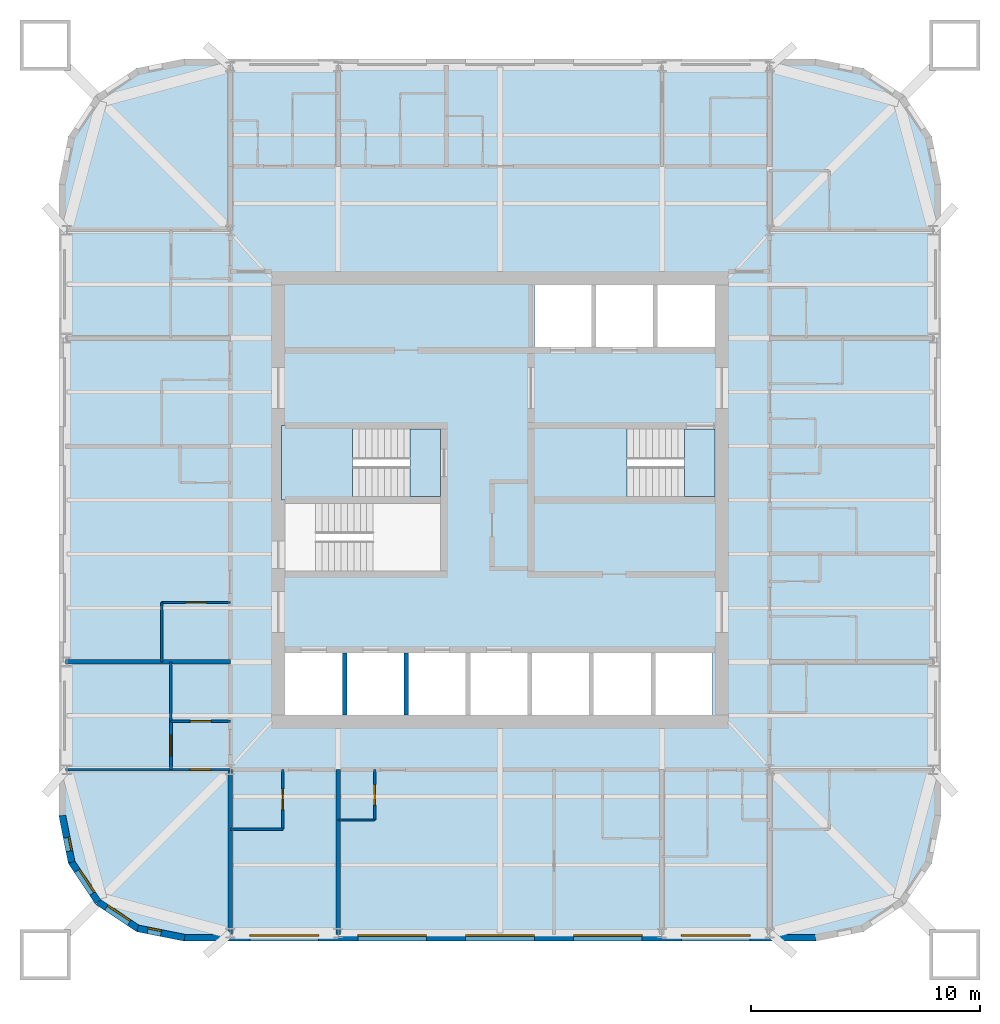
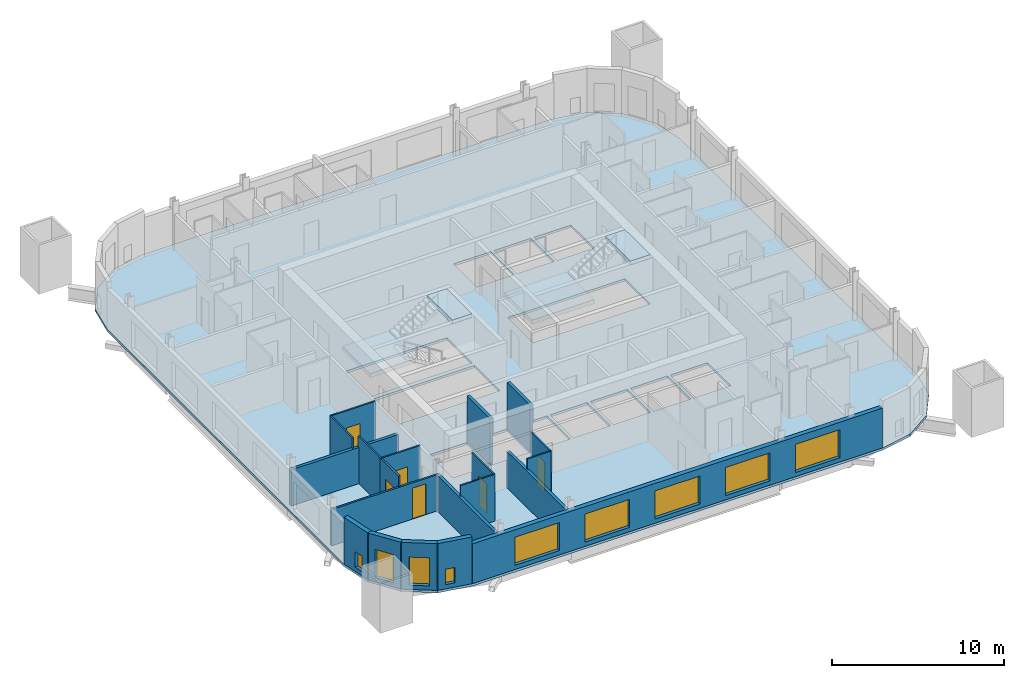
# One storey, part 2 of 9: 20 walls, 9 windows, 6 doors, 5 slabs, 15 openings, 2 elements without a shape of their own.
"""IFC4 building model written with IfcOpenShell, lengths in metres."""

from ifc_helpers import new_model, si_unit, direction, frame, frame_2d, origin, place, context, subcontext, project, spatial, polyline, rectangle, outline, extrude, material, layer, layer_set, type_object, element, fill, aggregate, save


model = new_model("IFC4")

# Units and contexts
model_context = context("Model", 3, precision=1e-05, world=origin(), true_north=direction((0.0, 1.0)))
body_context = subcontext(model_context, "Body", "Model", "MODEL_VIEW")
ifc_project = project(units=[si_unit("LENGTHUNIT", "METRE"), si_unit("AREAUNIT", "SQUARE_METRE"), si_unit("VOLUMEUNIT", "CUBIC_METRE"), si_unit("PLANEANGLEUNIT", "RADIAN"), si_unit("MASSUNIT", "GRAM", prefix="KILO")], contexts=[model_context])

# Site, building, storey
site_placement = place(None, origin())
site = spatial("IfcSite", under=ifc_project, at=site_placement, CompositionType="ELEMENT")
building_placement = place(site_placement, origin())
building = spatial("IfcBuilding", under=site, at=building_placement, Name="Turquesa Mirador Hotel Tower", CompositionType="ELEMENT")
storey_placement = place(building_placement, frame((0.0, 0.0, 210.800048828125)))
storey = spatial("IfcBuildingStorey", under=building, at=storey_placement, Name="L57", CompositionType="ELEMENT", Elevation=210.800048828125)

# Slab
ifc_material_1 = material(Name="Concrete C28/35", Category="concrete")
ifc_layer_1 = layer(ifc_material_1, 0.169921875)
ifc_layer_set_1 = layer_set([ifc_layer_1], Name="COMPOSITE FLOOR SLAB 170")
slab_type_1 = type_object("IfcSlabType", Name="COMPOSITE FLOOR SLAB 170", PredefinedType="FLOOR", material=ifc_layer_set_1)
slab_1_placement = place(storey_placement, frame((0.0, 0.0, -0.170166015625)))
element("IfcSlab", 1, at=slab_1_placement, inside=storey, type_object=slab_type_1, Name="Floor slab L57", PredefinedType="FLOOR", context=body_context, shape_type="SweptSolid", body=[
    extrude(outline(polyline([(68.800048828125, 25.699951171875), (70.90478515625, 26.11865234375), (72.689208984375, 27.310791015625), (73.88134765625, 29.09521484375), (74.300048828125, 31.199951171875), (74.300048828125, 58.800048828125), (73.88134765625, 60.90478515625), (72.689208984375, 62.689208984375), (70.90478515625, 63.88134765625), (68.800048828125, 64.300048828125), (41.199951171875, 64.300048828125), (39.09521484375, 63.88134765625), (37.310791015625, 62.689208984375), (36.11865234375, 60.90478515625), (35.699951171875, 58.800048828125), (35.699951171875, 31.199951171875), (36.11865234375, 29.09521484375), (37.310791015625, 27.310791015625), (39.09521484375, 26.11865234375), (41.199951171875, 25.699951171875), (68.800048828125, 25.699951171875)]), holes=[polyline([(56.5, 51.699951171875), (59.0, 51.699951171875), (59.0, 54.39990234375), (56.5, 54.39990234375), (56.5, 51.699951171875)]), polyline([(59.199951171875, 51.699951171875), (61.699951171875, 51.699951171875), (61.699951171875, 54.39990234375), (59.199951171875, 54.39990234375), (59.199951171875, 51.699951171875)]), polyline([(45.60009765625, 35.60009765625), (48.10009765625, 35.60009765625), (48.10009765625, 38.300048828125), (45.60009765625, 38.300048828125), (45.60009765625, 35.60009765625)]), polyline([(48.300048828125, 35.60009765625), (50.800048828125, 35.60009765625), (50.800048828125, 38.300048828125), (48.300048828125, 38.300048828125), (48.300048828125, 35.60009765625)]), polyline([(51.0, 35.60009765625), (53.5, 35.60009765625), (53.5, 38.300048828125), (51.0, 38.300048828125), (51.0, 35.60009765625)]), polyline([(53.699951171875, 35.60009765625), (56.199951171875, 35.60009765625), (56.199951171875, 38.300048828125), (53.699951171875, 38.300048828125), (53.699951171875, 35.60009765625)]), polyline([(56.39990234375, 35.60009765625), (58.89990234375, 35.60009765625), (58.89990234375, 38.300048828125), (56.39990234375, 38.300048828125), (56.39990234375, 35.60009765625)]), polyline([(59.10009765625, 35.60009765625), (61.60009765625, 35.60009765625), (61.60009765625, 38.300048828125), (59.10009765625, 38.300048828125), (59.10009765625, 35.60009765625)]), polyline([(61.800048828125, 35.60009765625), (64.300048828125, 35.60009765625), (64.300048828125, 38.300048828125), (61.800048828125, 38.300048828125), (61.800048828125, 35.60009765625)]), polyline([(45.60009765625, 45.14990234375), (52.39990234375, 45.14990234375), (52.39990234375, 48.10009765625), (45.60009765625, 48.10009765625), (45.60009765625, 45.14990234375)]), polyline([(45.60009765625, 41.89990234375), (52.39990234375, 41.89990234375), (52.39990234375, 44.85009765625), (45.60009765625, 44.85009765625), (45.60009765625, 41.89990234375)]), polyline([(56.5, 45.14990234375), (64.39990234375, 45.14990234375), (64.39990234375, 48.10009765625), (56.5, 48.10009765625), (56.5, 45.14990234375)]), polyline([(61.89990234375, 51.699951171875), (64.39990234375, 51.699951171875), (64.39990234375, 54.39990234375), (61.89990234375, 54.39990234375), (61.89990234375, 51.699951171875)])]), origin(), (0.0, 0.0, 1.0), 0.170166015625),
])

# Stair, slabs
ifc_material_2 = material(Name="Concrete C35/45", Category="concrete")
stair_type = type_object("IfcStairType", Name="ESCAPE STAIR CORE", PredefinedType="HALF_TURN_STAIR", material=ifc_material_2)
stair_1_placement = place(storey_placement, origin())
stair_1 = element("IfcStair", 2, at=stair_1_placement, inside=storey, type_object=stair_type, Name="Stair ST1 L57 to L58", PredefinedType="HALF_TURN_STAIR")
ifc_material_3 = material(Name="Concrete C35/45", Category="concrete")
ifc_layer_2 = layer(ifc_material_3, 0.300048828125)
ifc_layer_set_2 = layer_set([ifc_layer_2], Name="STAIR LANDING 300")
slab_type_2 = type_object("IfcSlabType", Name="STAIR LANDING 300", PredefinedType="LANDING", material=ifc_layer_set_2)
slab_2_placement = place(storey_placement, frame((0.0, 0.0, 1.449951171875)))
slab_2 = element("IfcSlab", 3, at=slab_2_placement, type_object=slab_type_2, Name="ST1 landing 1", PredefinedType="LANDING", context=body_context, shape_type="SweptSolid", body=[
    extrude(outline(polyline([(45.449951171875, 45.0), (48.550048828125, 45.0), (48.550048828125, 48.25), (45.449951171875, 48.25), (45.449951171875, 45.0)])), origin(), (0.0, 0.0, 1.0), 0.300048828125),
])
slab_3_placement = place(storey_placement, frame((0.0, 0.0, 3.199951171875)))
slab_3 = element("IfcSlab", 4, at=slab_3_placement, type_object=slab_type_2, Name="ST1 landing 2", PredefinedType="LANDING", context=body_context, shape_type="SweptSolid", body=[
    extrude(outline(polyline([(51.070068359375, 45.14990234375), (52.39990234375, 45.14990234375), (52.39990234375, 48.10009765625), (51.070068359375, 48.10009765625), (51.070068359375, 45.14990234375)])), origin(), (0.0, 0.0, 1.0), 0.300048828125),
])
aggregate(stair_1, [slab_2, slab_3])

stair_2_placement = place(storey_placement, origin())
stair_2 = element("IfcStair", 5, at=stair_2_placement, inside=storey, type_object=stair_type, Name="Stair ST3 L57 to L58", PredefinedType="HALF_TURN_STAIR")
slab_4_placement = place(storey_placement, frame((0.0, 0.0, 1.449951171875)))
slab_4 = element("IfcSlab", 6, at=slab_4_placement, type_object=slab_type_2, Name="ST3 landing 1", PredefinedType="LANDING", context=body_context, shape_type="SweptSolid", body=[
    extrude(outline(polyline([(56.35009765625, 45.0), (60.550048828125, 45.0), (60.550048828125, 48.25), (56.35009765625, 48.25), (56.35009765625, 45.0)])), origin(), (0.0, 0.0, 1.0), 0.300048828125),
])
slab_5_placement = place(storey_placement, frame((0.0, 0.0, 3.199951171875)))
slab_5 = element("IfcSlab", 7, at=slab_5_placement, type_object=slab_type_2, Name="ST3 landing 2", PredefinedType="LANDING", context=body_context, shape_type="SweptSolid", body=[
    extrude(outline(polyline([(63.070068359375, 45.14990234375), (64.39990234375, 45.14990234375), (64.39990234375, 48.10009765625), (63.070068359375, 48.10009765625), (63.070068359375, 45.14990234375)])), origin(), (0.0, 0.0, 1.0), 0.300048828125),
])
aggregate(stair_2, [slab_4, slab_5])

# Walls
ifc_material_4 = material(Name="Gypsum board on steel studs", Category="steel")
ifc_layer_3 = layer(ifc_material_4, 0.10009765625)
ifc_layer_set_3 = layer_set([ifc_layer_3], Name="BATHROOM WALL 100")
wall_type_1 = type_object("IfcWallType", Name="BATHROOM WALL 100", PredefinedType="PARTITIONING", material=ifc_layer_set_3)
wall_1_placement = place(storey_placement, frame((47.919921875, 31.0, 0.0), z_axis=(0.0, 0.0, 1.0), x_axis=(1.0, 0.0, 0.0)))
element("IfcWall", 8, at=wall_1_placement, inside=storey, type_object=wall_type_1, Name="Partition L57 006", PredefinedType="PARTITIONING", context=body_context, shape_type="SweptSolid", body=[
    extrude(rectangle(XDim=1.60009765625, YDim=0.10009765625, at=frame_2d((0.800048828125, 0.0))), origin(), (0.0, 0.0, 1.0), 3.329833984375),
])
wall_2_placement = place(storey_placement, frame((43.199951171875, 30.60009765625, 0.0), z_axis=(0.0, 0.0, 1.0), x_axis=(1.0, 0.0, 0.0)))
element("IfcWall", 9, at=wall_2_placement, inside=storey, type_object=wall_type_1, Name="Partition L57 008", PredefinedType="PARTITIONING", context=body_context, shape_type="SweptSolid", body=[
    extrude(rectangle(XDim=2.300048828125, YDim=0.10009765625, at=frame_2d((1.14990234375, 0.0))), origin(), (0.0, 0.0, 1.0), 3.329833984375),
])

# Wall, opening, door
wall_3_placement = place(storey_placement, frame((40.199951171875, 40.52001953125, 0.0), z_axis=(0.0, 0.0, 1.0), x_axis=(1.0, 0.0, 0.0)))
wall_3 = element("IfcWall", 10, at=wall_3_placement, inside=storey, type_object=wall_type_1, Name="Partition L57 014", PredefinedType="PARTITIONING", context=body_context, shape_type="SweptSolid", body=[
    extrude(rectangle(XDim=3.0, YDim=0.10009765625, at=frame_2d((1.5, 0.0))), origin(), (0.0, 0.0, 1.0), 3.329833984375),
])
opening_1_placement = place(wall_3_placement, frame((1.050048828125, 0.0, 0.0)))
opening_1 = element("IfcOpeningElement", 11, at=opening_1_placement, cuts=wall_3, Name="Opening D02", PredefinedType="OPENING", context=body_context, shape_type="SweptSolid", body=[
    extrude(rectangle(XDim=0.89990234375, YDim=2.10009765625, at=frame_2d((0.449951171875, 1.050048828125))), frame((0.0, 0.06005859375, 0.0), z_axis=(0.0, -1.0, 0.0), x_axis=(1.0, 0.0, 0.0)), (0.0, 0.0, 1.0), 0.1201171875),
])
ifc_material_5 = material(Name="Timber veneered door", Category="wood")
door_type_1 = type_object("IfcDoorType", Name="DOOR 900X2100 EN-SUITE", OperationType="SINGLE_SWING_RIGHT", PredefinedType="DOOR", material=ifc_material_5)
door_1_placement = place(opening_1_placement, origin())
door_1 = element("IfcDoor", 12, at=door_1_placement, inside=storey, type_object=door_type_1, Name="Door 5710B", OperationType="SINGLE_SWING_RIGHT", OverallHeight=2.10009765625, OverallWidth=0.89990234375, PredefinedType="DOOR", context=body_context, shape_type="SweptSolid", body=[
    extrude(rectangle(XDim=0.89990234375, YDim=2.10009765625, at=frame_2d((0.449951171875, 1.050048828125))), frame((0.0, 0.02490234375, 0.0), z_axis=(0.0, -1.0, 0.0), x_axis=(1.0, 0.0, 0.0)), (0.0, 0.0, 1.0), 0.050048828125),
])
fill(opening_1, door_1)

wall_4_placement = place(storey_placement, frame((40.60009765625, 35.320068359375, 0.0), z_axis=(0.0, 0.0, 1.0), x_axis=(1.0, 0.0, 0.0)))
wall_4 = element("IfcWall", 13, at=wall_4_placement, inside=storey, type_object=wall_type_1, Name="Partition L57 019", PredefinedType="PARTITIONING", context=body_context, shape_type="SweptSolid", body=[
    extrude(rectangle(XDim=2.599853515625, YDim=0.10009765625, at=frame_2d((1.2998046875, 0.0))), origin(), (0.0, 0.0, 1.0), 3.329833984375),
])
opening_2_placement = place(wall_4_placement, frame((0.85009765625, 0.0, 0.0)))
opening_2 = element("IfcOpeningElement", 14, at=opening_2_placement, cuts=wall_4, Name="Opening D02", PredefinedType="OPENING", context=body_context, shape_type="SweptSolid", body=[
    extrude(rectangle(XDim=0.89990234375, YDim=2.10009765625, at=frame_2d((0.449951171875, 1.050048828125))), frame((0.0, 0.06005859375, 0.0), z_axis=(0.0, -1.0, 0.0), x_axis=(1.0, 0.0, 0.0)), (0.0, 0.0, 1.0), 0.1201171875),
])
door_2_placement = place(opening_2_placement, origin())
door_2 = element("IfcDoor", 15, at=door_2_placement, inside=storey, type_object=door_type_1, Name="Door 5714B", OperationType="SINGLE_SWING_RIGHT", OverallHeight=2.10009765625, OverallWidth=0.89990234375, PredefinedType="DOOR", context=body_context, shape_type="SweptSolid", body=[
    extrude(rectangle(XDim=0.89990234375, YDim=2.10009765625, at=frame_2d((0.449951171875, 1.050048828125))), frame((0.0, 0.02490234375, 0.0), z_axis=(0.0, -1.0, 0.0), x_axis=(1.0, 0.0, 0.0)), (0.0, 0.0, 1.0), 0.050048828125),
])
fill(opening_2, door_2)

# Walls
wall_5_placement = place(storey_placement, frame((40.60009765625, 35.320068359375, 0.0), z_axis=(0.0, 0.0, 1.0), x_axis=(0.0, 1.0, 0.0)))
element("IfcWall", 16, at=wall_5_placement, inside=storey, type_object=wall_type_1, Name="Partition L57 051", PredefinedType="PARTITIONING", context=body_context, shape_type="SweptSolid", body=[
    extrude(rectangle(XDim=2.599853515625, YDim=0.10009765625, at=frame_2d((1.2998046875, 0.0))), origin(), (0.0, 0.0, 1.0), 3.329833984375),
])
wall_6_placement = place(storey_placement, frame((40.199951171875, 37.919921875, 0.0), z_axis=(0.0, 0.0, 1.0), x_axis=(0.0, 1.0, 0.0)))
element("IfcWall", 17, at=wall_6_placement, inside=storey, type_object=wall_type_1, Name="Partition L57 055", PredefinedType="PARTITIONING", context=body_context, shape_type="SweptSolid", body=[
    extrude(rectangle(XDim=2.60009765625, YDim=0.10009765625, at=frame_2d((1.300048828125, 0.0))), origin(), (0.0, 0.0, 1.0), 3.329833984375),
])

# Wall, opening, door
wall_7_placement = place(storey_placement, frame((49.52001953125, 31.0, 0.0), z_axis=(0.0, 0.0, 1.0), x_axis=(0.0, 1.0, 0.0)))
wall_7 = element("IfcWall", 18, at=wall_7_placement, inside=storey, type_object=wall_type_1, Name="Partition L57 059", PredefinedType="PARTITIONING", context=body_context, shape_type="SweptSolid", body=[
    extrude(rectangle(XDim=2.199951171875, YDim=0.10009765625, at=frame_2d((1.10009765625, 0.0))), origin(), (0.0, 0.0, 1.0), 3.329833984375),
])
opening_3_placement = place(wall_7_placement, frame((0.64990234375, 0.0, 0.0)))
opening_3 = element("IfcOpeningElement", 19, at=opening_3_placement, cuts=wall_7, Name="Opening D06", PredefinedType="OPENING", context=body_context, shape_type="SweptSolid", body=[
    extrude(rectangle(XDim=0.89990234375, YDim=2.10009765625, at=frame_2d((0.449951171875, 1.050048828125))), frame((0.0, 0.06005859375, 0.0), z_axis=(0.0, -1.0, 0.0), x_axis=(1.0, 0.0, 0.0)), (0.0, 0.0, 1.0), 0.1201171875),
])
ifc_material_6 = material(Name="Laminate door", Category="wood")
door_type_2 = type_object("IfcDoorType", Name="DOOR 900X2100 WC", OperationType="SINGLE_SWING_LEFT", PredefinedType="DOOR", material=ifc_material_6)
door_3_placement = place(opening_3_placement, origin())
door_3 = element("IfcDoor", 20, at=door_3_placement, inside=storey, type_object=door_type_2, Name="Door 5705W", OperationType="SINGLE_SWING_LEFT", OverallHeight=2.10009765625, OverallWidth=0.89990234375, PredefinedType="DOOR", context=body_context, shape_type="SweptSolid", body=[
    extrude(rectangle(XDim=0.89990234375, YDim=2.10009765625, at=frame_2d((0.449951171875, 1.050048828125))), frame((0.0, 0.02490234375, 0.0), z_axis=(0.0, -1.0, 0.0), x_axis=(1.0, 0.0, 0.0)), (0.0, 0.0, 1.0), 0.050048828125),
])
fill(opening_3, door_3)

wall_8_placement = place(storey_placement, frame((45.5, 30.60009765625, 0.0), z_axis=(0.0, 0.0, 1.0), x_axis=(0.0, 1.0, 0.0)))
wall_8 = element("IfcWall", 21, at=wall_8_placement, inside=storey, type_object=wall_type_1, Name="Partition L57 064", PredefinedType="PARTITIONING", context=body_context, shape_type="SweptSolid", body=[
    extrude(rectangle(XDim=2.599853515625, YDim=0.10009765625, at=frame_2d((1.2998046875, 0.0))), origin(), (0.0, 0.0, 1.0), 3.329833984375),
])
opening_4_placement = place(wall_8_placement, frame((0.85009765625, 0.0, 0.0)))
opening_4 = element("IfcOpeningElement", 22, at=opening_4_placement, cuts=wall_8, Name="Opening D02", PredefinedType="OPENING", context=body_context, shape_type="SweptSolid", body=[
    extrude(rectangle(XDim=0.89990234375, YDim=2.10009765625, at=frame_2d((0.449951171875, 1.050048828125))), frame((0.0, 0.06005859375, 0.0), z_axis=(0.0, -1.0, 0.0), x_axis=(1.0, 0.0, 0.0)), (0.0, 0.0, 1.0), 0.1201171875),
])
door_4_placement = place(opening_4_placement, origin())
door_4 = element("IfcDoor", 23, at=door_4_placement, inside=storey, type_object=door_type_1, Name="Door 5704B", OperationType="SINGLE_SWING_RIGHT", OverallHeight=2.10009765625, OverallWidth=0.89990234375, PredefinedType="DOOR", context=body_context, shape_type="SweptSolid", body=[
    extrude(rectangle(XDim=0.89990234375, YDim=2.10009765625, at=frame_2d((0.449951171875, 1.050048828125))), frame((0.0, 0.02490234375, 0.0), z_axis=(0.0, -1.0, 0.0), x_axis=(1.0, 0.0, 0.0)), (0.0, 0.0, 1.0), 0.050048828125),
])
fill(opening_4, door_4)

# Wall, opening, window
ifc_material_7 = material(Name="Limestone cladding on concrete block", Category="masonry")
ifc_layer_4 = layer(ifc_material_7, 0.300048828125)
ifc_layer_set_4 = layer_set([ifc_layer_4], Name="FACADE WALL 300 STONE SCREEN")
wall_type_2 = type_object("IfcWallType", Name="FACADE WALL 300 STONE SCREEN", PredefinedType="SOLIDWALL", material=ifc_layer_set_4)
wall_9_placement = place(storey_placement, frame((35.85009765625, 31.199951171875, 0.0), z_axis=(0.0, 0.0, 1.0), x_axis=(0.195081421501, -0.980787050784, 0.0)))
wall_9 = element("IfcWall", 24, at=wall_9_placement, inside=storey, type_object=wall_type_2, Name="Facade wall L57 15", PredefinedType="SOLIDWALL", context=body_context, shape_type="SweptSolid", body=[
    extrude(rectangle(XDim=2.08740234375, YDim=0.300048828125, at=frame_2d((1.043701171875, 0.0))), origin(), (0.0, 0.0, 1.0), 3.329833984375),
])
opening_5_placement = place(wall_9_placement, frame((0.99365234375, 0.0, 0.300048828125)))
opening_5 = element("IfcOpeningElement", 25, at=opening_5_placement, cuts=wall_9, Name="Opening WN12", PredefinedType="OPENING", context=body_context, shape_type="SweptSolid", body=[
    extrude(rectangle(XDim=0.60009765625, YDim=1.10009765625, at=frame_2d((0.300048828125, 0.550048828125))), frame((0.0, 0.159912109375, 0.0), z_axis=(0.0, -1.0, 0.0), x_axis=(1.0, 0.0, 0.0)), (0.0, 0.0, 1.0), 0.320068359375),
])
ifc_material_8 = material(Name="Ceramic-fritted laminated glass", Category="glass")
window_type_1 = type_object("IfcWindowType", Name="FRITTED CORNER WINDOW 600X1100", PartitioningType="DOUBLE_PANEL_HORIZONTAL", PredefinedType="WINDOW", material=ifc_material_8)
window_1_placement = place(opening_5_placement, origin())
window_1 = element("IfcWindow", 26, at=window_1_placement, inside=storey, type_object=window_type_1, Name="Window L57", OverallHeight=1.10009765625, OverallWidth=0.60009765625, PartitioningType="SINGLE_PANEL", PredefinedType="WINDOW", context=body_context, shape_type="SweptSolid", body=[
    extrude(rectangle(XDim=0.60009765625, YDim=1.10009765625, at=frame_2d((0.300048828125, 0.550048828125))), frame((0.0, 0.130126953125, 0.0), z_axis=(0.0, -1.0, 0.0), x_axis=(1.0, 0.0, 0.0)), (0.0, 0.0, 1.0), 0.06005859375),
])
fill(opening_5, window_1)

wall_10_placement = place(storey_placement, frame((36.25732421875, 29.152587890625, 0.0), z_axis=(0.0, 0.0, 1.0), x_axis=(0.555563607591, -0.831474039234, 0.0)))
wall_10 = element("IfcWall", 27, at=wall_10_placement, inside=storey, type_object=wall_type_2, Name="Facade wall L57 16", PredefinedType="SOLIDWALL", context=body_context, shape_type="SweptSolid", body=[
    extrude(rectangle(XDim=2.08740234375, YDim=0.300048828125, at=frame_2d((1.043701171875, 0.0))), origin(), (0.0, 0.0, 1.0), 3.329833984375),
])
opening_6_placement = place(wall_10_placement, frame((0.443603515625, 0.0, 0.300048828125)))
opening_6 = element("IfcOpeningElement", 28, at=opening_6_placement, cuts=wall_10, Name="Opening WN4", PredefinedType="OPENING", context=body_context, shape_type="SweptSolid", body=[
    extrude(rectangle(XDim=1.199951171875, YDim=2.0, at=frame_2d((0.60009765625, 1.0))), frame((0.0, 0.159912109375, 0.0), z_axis=(0.0, -1.0, 0.0), x_axis=(1.0, 0.0, 0.0)), (0.0, 0.0, 1.0), 0.320068359375),
])
ifc_material_9 = material(Name="Ceramic-fritted laminated glass", Category="glass")
window_type_2 = type_object("IfcWindowType", Name="FRITTED CORNER WINDOW 1200X2000", PartitioningType="DOUBLE_PANEL_HORIZONTAL", PredefinedType="WINDOW", material=ifc_material_9)
window_2_placement = place(opening_6_placement, origin())
window_2 = element("IfcWindow", 29, at=window_2_placement, inside=storey, type_object=window_type_2, Name="Window L57", OverallHeight=2.0, OverallWidth=1.199951171875, PartitioningType="SINGLE_PANEL", PredefinedType="WINDOW", context=body_context, shape_type="SweptSolid", body=[
    extrude(rectangle(XDim=1.199951171875, YDim=2.0, at=frame_2d((0.60009765625, 1.0))), frame((0.0, 0.130126953125, 0.0), z_axis=(0.0, -1.0, 0.0), x_axis=(1.0, 0.0, 0.0)), (0.0, 0.0, 1.0), 0.06005859375),
])
fill(opening_6, window_2)

wall_11_placement = place(storey_placement, frame((37.4169921875, 27.4169921875, 0.0), z_axis=(0.0, 0.0, 1.0), x_axis=(0.831474039234, -0.555563607591, 0.0)))
wall_11 = element("IfcWall", 30, at=wall_11_placement, inside=storey, type_object=wall_type_2, Name="Facade wall L57 17", PredefinedType="SOLIDWALL", context=body_context, shape_type="SweptSolid", body=[
    extrude(rectangle(XDim=2.08740234375, YDim=0.300048828125, at=frame_2d((1.043701171875, 0.0))), origin(), (0.0, 0.0, 1.0), 3.329833984375),
])
opening_7_placement = place(wall_11_placement, frame((0.443603515625, 0.0, 0.300048828125)))
opening_7 = element("IfcOpeningElement", 31, at=opening_7_placement, cuts=wall_11, Name="Opening WN4", PredefinedType="OPENING", context=body_context, shape_type="SweptSolid", body=[
    extrude(rectangle(XDim=1.199951171875, YDim=2.0, at=frame_2d((0.60009765625, 1.0))), frame((0.0, 0.159912109375, 0.0), z_axis=(0.0, -1.0, 0.0), x_axis=(1.0, 0.0, 0.0)), (0.0, 0.0, 1.0), 0.320068359375),
])
window_3_placement = place(opening_7_placement, origin())
window_3 = element("IfcWindow", 32, at=window_3_placement, inside=storey, type_object=window_type_2, Name="Window L57", OverallHeight=2.0, OverallWidth=1.199951171875, PartitioningType="SINGLE_PANEL", PredefinedType="WINDOW", context=body_context, shape_type="SweptSolid", body=[
    extrude(rectangle(XDim=1.199951171875, YDim=2.0, at=frame_2d((0.60009765625, 1.0))), frame((0.0, 0.130126953125, 0.0), z_axis=(0.0, -1.0, 0.0), x_axis=(1.0, 0.0, 0.0)), (0.0, 0.0, 1.0), 0.06005859375),
])
fill(opening_7, window_3)

wall_12_placement = place(storey_placement, frame((39.152587890625, 26.25732421875, 0.0), z_axis=(0.0, 0.0, 1.0), x_axis=(0.980787050784, -0.195081421501, 0.0)))
wall_12 = element("IfcWall", 33, at=wall_12_placement, inside=storey, type_object=wall_type_2, Name="Facade wall L57 18", PredefinedType="SOLIDWALL", context=body_context, shape_type="SweptSolid", body=[
    extrude(rectangle(XDim=2.08740234375, YDim=0.300048828125, at=frame_2d((1.043701171875, 0.0))), origin(), (0.0, 0.0, 1.0), 3.329833984375),
])
opening_8_placement = place(wall_12_placement, frame((0.443603515625, 0.0, 0.300048828125)))
opening_8 = element("IfcOpeningElement", 34, at=opening_8_placement, cuts=wall_12, Name="Opening WN12", PredefinedType="OPENING", context=body_context, shape_type="SweptSolid", body=[
    extrude(rectangle(XDim=0.60009765625, YDim=1.10009765625, at=frame_2d((0.300048828125, 0.550048828125))), frame((0.0, 0.159912109375, 0.0), z_axis=(0.0, -1.0, 0.0), x_axis=(1.0, 0.0, 0.0)), (0.0, 0.0, 1.0), 0.320068359375),
])
window_4_placement = place(opening_8_placement, origin())
window_4 = element("IfcWindow", 35, at=window_4_placement, inside=storey, type_object=window_type_1, Name="Window L57", OverallHeight=1.10009765625, OverallWidth=0.60009765625, PartitioningType="SINGLE_PANEL", PredefinedType="WINDOW", context=body_context, shape_type="SweptSolid", body=[
    extrude(rectangle(XDim=0.60009765625, YDim=1.10009765625, at=frame_2d((0.300048828125, 0.550048828125))), frame((0.0, 0.130126953125, 0.0), z_axis=(0.0, -1.0, 0.0), x_axis=(1.0, 0.0, 0.0)), (0.0, 0.0, 1.0), 0.06005859375),
])
fill(opening_8, window_4)

# Wall, openings, windows
wall_13_placement = place(storey_placement, frame((41.199951171875, 25.85009765625, 0.0), z_axis=(0.0, 0.0, 1.0), x_axis=(1.0, 0.0, 0.0)))
wall_13 = element("IfcWall", 36, at=wall_13_placement, inside=storey, type_object=wall_type_2, Name="Facade wall L57 19", PredefinedType="SOLIDWALL", context=body_context, shape_type="SweptSolid", body=[
    extrude(rectangle(XDim=27.60009765625, YDim=0.300048828125, at=frame_2d((13.800048828125, 0.0))), origin(), (0.0, 0.0, 1.0), 2.829833984375),
])
opening_9_placement = place(wall_13_placement, frame((2.860107421875, 0.0, 0.300048828125)))
opening_9 = element("IfcOpeningElement", 37, at=opening_9_placement, cuts=wall_13, Name="Opening WN1", PredefinedType="OPENING", context=body_context, shape_type="SweptSolid", body=[
    extrude(rectangle(XDim=3.0, YDim=2.0, at=frame_2d((1.5, 1.0))), frame((0.0, 0.159912109375, 0.0), z_axis=(0.0, -1.0, 0.0), x_axis=(1.0, 0.0, 0.0)), (0.0, 0.0, 1.0), 0.320068359375),
])
opening_10_placement = place(wall_13_placement, frame((7.580078125, 0.0, 0.300048828125)))
opening_10 = element("IfcOpeningElement", 38, at=opening_10_placement, cuts=wall_13, Name="Opening WN1", PredefinedType="OPENING", context=body_context, shape_type="SweptSolid", body=[
    extrude(rectangle(XDim=3.0, YDim=2.0, at=frame_2d((1.5, 1.0))), frame((0.0, 0.159912109375, 0.0), z_axis=(0.0, -1.0, 0.0), x_axis=(1.0, 0.0, 0.0)), (0.0, 0.0, 1.0), 0.320068359375),
])
opening_11_placement = place(wall_13_placement, frame((12.300048828125, 0.0, 0.300048828125)))
opening_11 = element("IfcOpeningElement", 39, at=opening_11_placement, cuts=wall_13, Name="Opening WN1", PredefinedType="OPENING", context=body_context, shape_type="SweptSolid", body=[
    extrude(rectangle(XDim=3.0, YDim=2.0, at=frame_2d((1.5, 1.0))), frame((0.0, 0.159912109375, 0.0), z_axis=(0.0, -1.0, 0.0), x_axis=(1.0, 0.0, 0.0)), (0.0, 0.0, 1.0), 0.320068359375),
])
opening_12_placement = place(wall_13_placement, frame((17.02001953125, 0.0, 0.300048828125)))
opening_12 = element("IfcOpeningElement", 40, at=opening_12_placement, cuts=wall_13, Name="Opening WN1", PredefinedType="OPENING", context=body_context, shape_type="SweptSolid", body=[
    extrude(rectangle(XDim=3.0, YDim=2.0, at=frame_2d((1.5, 1.0))), frame((0.0, 0.159912109375, 0.0), z_axis=(0.0, -1.0, 0.0), x_axis=(1.0, 0.0, 0.0)), (0.0, 0.0, 1.0), 0.320068359375),
])
opening_13_placement = place(wall_13_placement, frame((21.739990234375, 0.0, 0.300048828125)))
opening_13 = element("IfcOpeningElement", 41, at=opening_13_placement, cuts=wall_13, Name="Opening WN1", PredefinedType="OPENING", context=body_context, shape_type="SweptSolid", body=[
    extrude(rectangle(XDim=3.0, YDim=2.0, at=frame_2d((1.5, 1.0))), frame((0.0, 0.159912109375, 0.0), z_axis=(0.0, -1.0, 0.0), x_axis=(1.0, 0.0, 0.0)), (0.0, 0.0, 1.0), 0.320068359375),
])
ifc_material_10 = material(Name="Ceramic-fritted laminated glass", Category="glass")
window_type_3 = type_object("IfcWindowType", Name="FRITTED WINDOW 3000X2000", PartitioningType="DOUBLE_PANEL_HORIZONTAL", PredefinedType="WINDOW", material=ifc_material_10)
window_5_placement = place(opening_9_placement, origin())
window_5 = element("IfcWindow", 42, at=window_5_placement, inside=storey, type_object=window_type_3, Name="Window L57", OverallHeight=2.0, OverallWidth=3.0, PartitioningType="SINGLE_PANEL", PredefinedType="WINDOW", context=body_context, shape_type="SweptSolid", body=[
    extrude(rectangle(XDim=3.0, YDim=2.0, at=frame_2d((1.5, 1.0))), frame((0.0, 0.130126953125, 0.0), z_axis=(0.0, -1.0, 0.0), x_axis=(1.0, 0.0, 0.0)), (0.0, 0.0, 1.0), 0.06005859375),
])
fill(opening_9, window_5)
window_6_placement = place(opening_10_placement, origin())
window_6 = element("IfcWindow", 43, at=window_6_placement, inside=storey, type_object=window_type_3, Name="Window L57", OverallHeight=2.0, OverallWidth=3.0, PartitioningType="SINGLE_PANEL", PredefinedType="WINDOW", context=body_context, shape_type="SweptSolid", body=[
    extrude(rectangle(XDim=3.0, YDim=2.0, at=frame_2d((1.5, 1.0))), frame((0.0, 0.130126953125, 0.0), z_axis=(0.0, -1.0, 0.0), x_axis=(1.0, 0.0, 0.0)), (0.0, 0.0, 1.0), 0.06005859375),
])
fill(opening_10, window_6)
window_7_placement = place(opening_11_placement, origin())
window_7 = element("IfcWindow", 44, at=window_7_placement, inside=storey, type_object=window_type_3, Name="Window L57", OverallHeight=2.0, OverallWidth=3.0, PartitioningType="SINGLE_PANEL", PredefinedType="WINDOW", context=body_context, shape_type="SweptSolid", body=[
    extrude(rectangle(XDim=3.0, YDim=2.0, at=frame_2d((1.5, 1.0))), frame((0.0, 0.130126953125, 0.0), z_axis=(0.0, -1.0, 0.0), x_axis=(1.0, 0.0, 0.0)), (0.0, 0.0, 1.0), 0.06005859375),
])
fill(opening_11, window_7)
window_8_placement = place(opening_12_placement, origin())
window_8 = element("IfcWindow", 45, at=window_8_placement, inside=storey, type_object=window_type_3, Name="Window L57", OverallHeight=2.0, OverallWidth=3.0, PartitioningType="SINGLE_PANEL", PredefinedType="WINDOW", context=body_context, shape_type="SweptSolid", body=[
    extrude(rectangle(XDim=3.0, YDim=2.0, at=frame_2d((1.5, 1.0))), frame((0.0, 0.130126953125, 0.0), z_axis=(0.0, -1.0, 0.0), x_axis=(1.0, 0.0, 0.0)), (0.0, 0.0, 1.0), 0.06005859375),
])
fill(opening_12, window_8)
window_9_placement = place(opening_13_placement, origin())
window_9 = element("IfcWindow", 46, at=window_9_placement, inside=storey, type_object=window_type_3, Name="Window L57", OverallHeight=2.0, OverallWidth=3.0, PartitioningType="SINGLE_PANEL", PredefinedType="WINDOW", context=body_context, shape_type="SweptSolid", body=[
    extrude(rectangle(XDim=3.0, YDim=2.0, at=frame_2d((1.5, 1.0))), frame((0.0, 0.130126953125, 0.0), z_axis=(0.0, -1.0, 0.0), x_axis=(1.0, 0.0, 0.0)), (0.0, 0.0, 1.0), 0.06005859375),
])
fill(opening_13, window_9)

# Walls
ifc_material_11 = material(Name="Fire-rated gypsum shaft wall on steel studs", Category="steel")
ifc_layer_5 = layer(ifc_material_11, 0.199951171875)
ifc_layer_set_5 = layer_set([ifc_layer_5], Name="LIFT SHAFT DIVIDER 200")
wall_type_3 = type_object("IfcWallType", Name="LIFT SHAFT DIVIDER 200", PredefinedType="PARTITIONING", material=ifc_layer_set_5)
for number, where, z_axis, x_axis, name in (
    (47, (48.199951171875, 35.60009765625, 0.0), (0.0, 0.0, 1.0), (0.0, 1.0, 0.0), "Lift shaft divider"),
    (48, (50.89990234375, 35.60009765625, 0.0), (0.0, 0.0, 1.0), (0.0, 1.0, 0.0), "Lift shaft divider"),
):
    element("IfcWall", number, at=place(storey_placement, frame(where, z_axis=z_axis, x_axis=x_axis)), inside=storey, type_object=wall_type_3, Name=name, PredefinedType="PARTITIONING", context=body_context, shape_type="SweptSolid", body=[
        extrude(rectangle(XDim=2.699951171875, YDim=0.199951171875, at=frame_2d((1.35009765625, 0.0))), origin(), (0.0, 0.0, 1.0), 3.329833984375),
    ])
ifc_material_12 = material(Name="Fire-rated gypsum board on steel studs", Category="steel")
ifc_layer_6 = layer(ifc_material_12, 0.199951171875)
ifc_layer_set_6 = layer_set([ifc_layer_6], Name="PARTY WALL 200")
wall_type_4 = type_object("IfcWallType", Name="PARTY WALL 200", PredefinedType="PARTITIONING", material=ifc_layer_set_6)
for number, where, z_axis, x_axis, name in (
    (49, (36.0, 37.919921875, 0.0), (0.0, 0.0, 1.0), (1.0, 0.0, 0.0), "Partition L57 016"),
    (50, (43.199951171875, 26.0, 0.0), (0.0, 0.0, 1.0), (0.0, 1.0, 0.0), "Partition L57 048"),
    (51, (47.919921875, 26.0, 0.0), (0.0, 0.0, 1.0), (0.0, 1.0, 0.0), "Partition L57 061"),
):
    element("IfcWall", number, at=place(storey_placement, frame(where, z_axis=z_axis, x_axis=x_axis)), inside=storey, type_object=wall_type_4, Name=name, PredefinedType="PARTITIONING", context=body_context, shape_type="SweptSolid", body=[
        extrude(rectangle(XDim=7.199951171875, YDim=0.199951171875, at=frame_2d((3.60009765625, 0.0))), origin(), (0.0, 0.0, 1.0), 2.572998046875),
    ])

# Wall, opening, door
ifc_material_13 = material(Name="Acoustic gypsum board on steel studs", Category="steel")
ifc_layer_7 = layer(ifc_material_13, 0.125)
ifc_layer_set_7 = layer_set([ifc_layer_7], Name="SUITE PARTITION 125")
wall_type_5 = type_object("IfcWallType", Name="SUITE PARTITION 125", PredefinedType="PARTITIONING", material=ifc_layer_set_7)
wall_14_placement = place(storey_placement, frame((36.0, 33.199951171875, 0.0), z_axis=(0.0, 0.0, 1.0), x_axis=(1.0, 0.0, 0.0)))
wall_14 = element("IfcWall", 52, at=wall_14_placement, inside=storey, type_object=wall_type_5, Name="Partition L57 004", PredefinedType="PARTITIONING", context=body_context, shape_type="SweptSolid", body=[
    extrude(rectangle(XDim=7.199951171875, YDim=0.125, at=frame_2d((3.60009765625, 0.0))), origin(), (0.0, 0.0, 1.0), 2.572998046875),
])
opening_14_placement = place(wall_14_placement, frame((5.449951171875, 0.0, 0.0)))
opening_14 = element("IfcOpeningElement", 53, at=opening_14_placement, cuts=wall_14, Name="Opening D17", PredefinedType="OPENING", context=body_context, shape_type="SweptSolid", body=[
    extrude(rectangle(XDim=0.89990234375, YDim=2.199951171875, at=frame_2d((0.449951171875, 1.10009765625))), frame((0.0, 0.072509765625, 0.0), z_axis=(0.0, -1.0, 0.0), x_axis=(1.0, 0.0, 0.0)), (0.0, 0.0, 1.0), 0.14501953125),
])
ifc_material_14 = material(Name="Timber veneered door", Category="wood")
door_type_3 = type_object("IfcDoorType", Name="DOOR 900X2200 SUITE INTERNAL", OperationType="SINGLE_SWING_LEFT", PredefinedType="DOOR", material=ifc_material_14)
door_5_placement = place(opening_14_placement, origin())
door_5 = element("IfcDoor", 54, at=door_5_placement, inside=storey, type_object=door_type_3, Name="Door 5714", OperationType="SINGLE_SWING_LEFT", OverallHeight=2.199951171875, OverallWidth=0.89990234375, PredefinedType="DOOR", context=body_context, shape_type="SweptSolid", body=[
    extrude(rectangle(XDim=0.89990234375, YDim=2.199951171875, at=frame_2d((0.449951171875, 1.10009765625))), frame((0.0, 0.02490234375, 0.0), z_axis=(0.0, -1.0, 0.0), x_axis=(1.0, 0.0, 0.0)), (0.0, 0.0, 1.0), 0.050048828125),
])
fill(opening_14, door_5)

wall_15_placement = place(storey_placement, frame((40.60009765625, 33.199951171875, 0.0), z_axis=(0.0, 0.0, 1.0), x_axis=(0.0, 1.0, 0.0)))
wall_15 = element("IfcWall", 55, at=wall_15_placement, inside=storey, type_object=wall_type_5, Name="Partition L57 053", PredefinedType="PARTITIONING", context=body_context, shape_type="SweptSolid", body=[
    extrude(rectangle(XDim=2.1201171875, YDim=0.125, at=frame_2d((1.06005859375, 0.0))), origin(), (0.0, 0.0, 1.0), 3.329833984375),
])
opening_15_placement = place(wall_15_placement, frame((0.610107421875, 0.0, 0.0)))
opening_15 = element("IfcOpeningElement", 56, at=opening_15_placement, cuts=wall_15, Name="Opening D17", PredefinedType="OPENING", context=body_context, shape_type="SweptSolid", body=[
    extrude(rectangle(XDim=0.89990234375, YDim=2.199951171875, at=frame_2d((0.449951171875, 1.10009765625))), frame((0.0, 0.072509765625, 0.0), z_axis=(0.0, -1.0, 0.0), x_axis=(1.0, 0.0, 0.0)), (0.0, 0.0, 1.0), 0.14501953125),
])
door_6_placement = place(opening_15_placement, origin())
door_6 = element("IfcDoor", 57, at=door_6_placement, inside=storey, type_object=door_type_3, Name="Door 5714R", OperationType="SINGLE_SWING_LEFT", OverallHeight=2.199951171875, OverallWidth=0.89990234375, PredefinedType="DOOR", context=body_context, shape_type="SweptSolid", body=[
    extrude(rectangle(XDim=0.89990234375, YDim=2.199951171875, at=frame_2d((0.449951171875, 1.10009765625))), frame((0.0, 0.02490234375, 0.0), z_axis=(0.0, -1.0, 0.0), x_axis=(1.0, 0.0, 0.0)), (0.0, 0.0, 1.0), 0.050048828125),
])
fill(opening_15, door_6)

save(model, "model.ifc")
